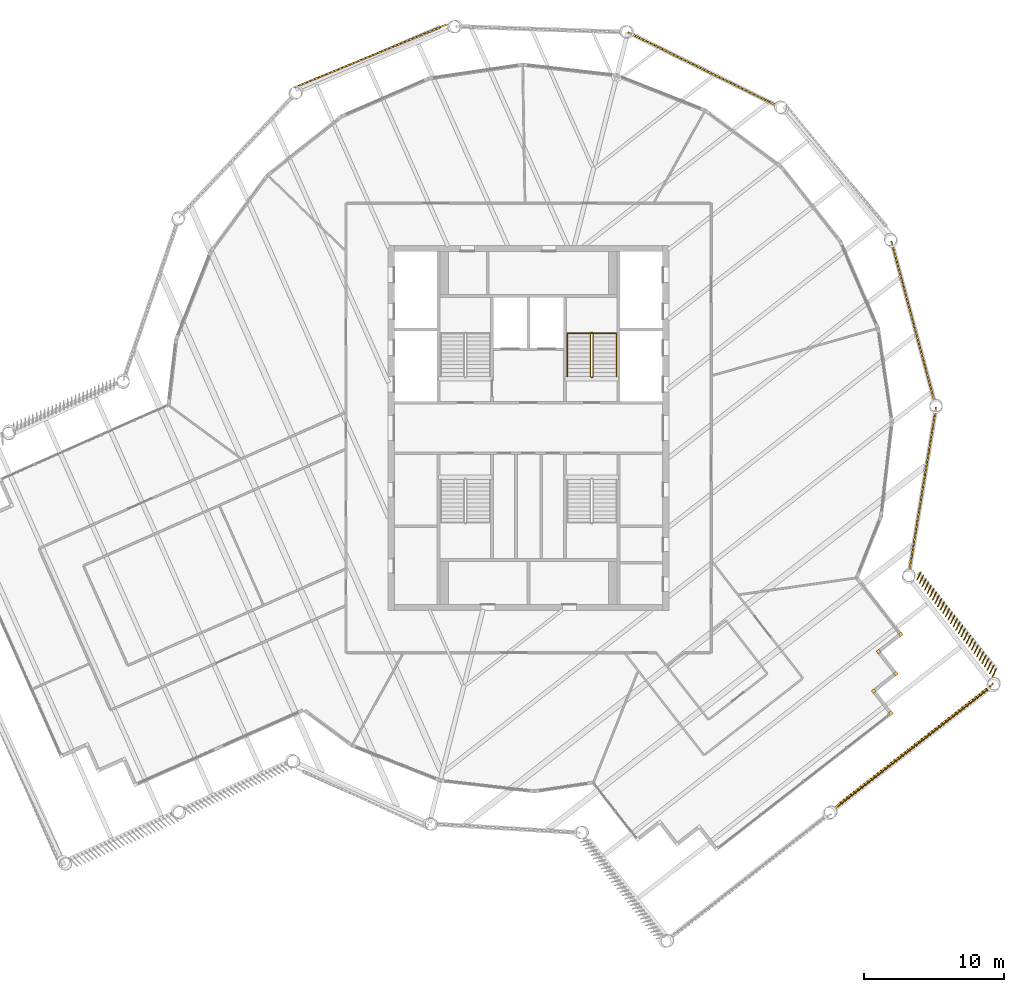
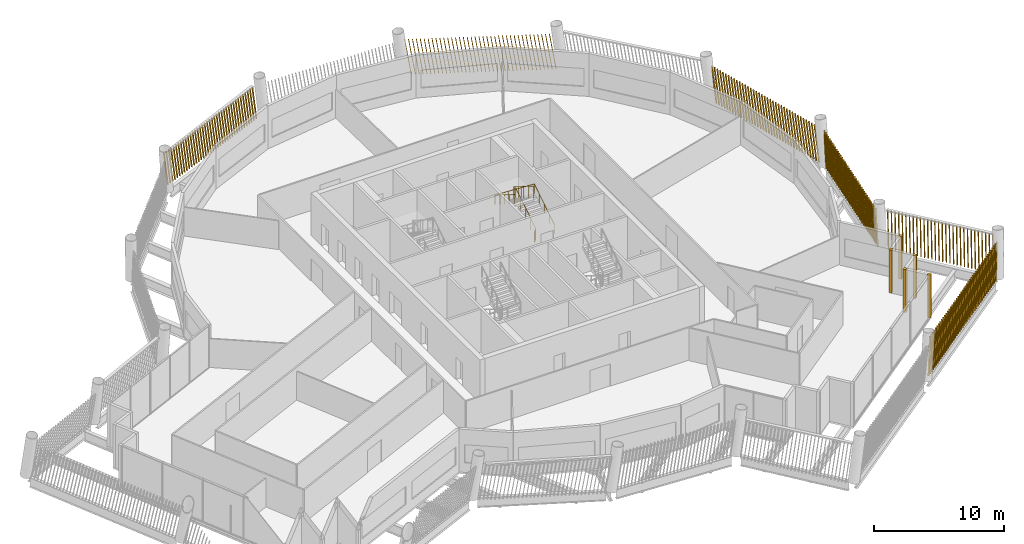
# One storey, part 26 of 28: 11 shading devices, 2 railings.
"""IFC4 building model written with IfcOpenShell, lengths in metres."""

from ifc_helpers import new_model, si_unit, direction, frame, frame_2d, origin, origin_2d, place, context, subcontext, project, spatial, rectangle, circle, composite_profile, extrude, material, type_object, element, save


model = new_model("IFC4")

# Units and contexts
model_context = context("Model", 3, precision=1e-05, world=origin(), true_north=direction((0.0, 1.0)))
body_context = subcontext(model_context, "Body", "Model", "MODEL_VIEW")
ifc_project = project(units=[si_unit("LENGTHUNIT", "METRE"), si_unit("AREAUNIT", "SQUARE_METRE"), si_unit("VOLUMEUNIT", "CUBIC_METRE"), si_unit("PLANEANGLEUNIT", "RADIAN"), si_unit("MASSUNIT", "GRAM", prefix="KILO")], contexts=[model_context])

# Site, building, storey
site_placement = place(None, origin())
site = spatial("IfcSite", under=ifc_project, at=site_placement, CompositionType="ELEMENT")
building_placement = place(site_placement, origin())
building = spatial("IfcBuilding", under=site, at=building_placement, Name="Tarsis Ring Headquarters", CompositionType="ELEMENT")
storey_placement = place(building_placement, frame((0.0, 0.0, 381.800048828125)))
storey = spatial("IfcBuildingStorey", under=building, at=storey_placement, Name="L90", CompositionType="ELEMENT", Elevation=381.800048828125)

# Railings
ifc_material_1 = material(Name="Steel S355", Category="steel")
railing_type_1 = type_object("IfcRailingType", Name="Core stair guard 1100", PredefinedType="GUARDRAIL", material=ifc_material_1)
railing_1_placement = place(storey_placement, frame((4.4599609375, 3.610107421875, 0.0)))
element("IfcRailing", 1, at=railing_1_placement, inside=storey, type_object=railing_type_1, Name="L90 ST2 stair guard 1", PredefinedType="GUARDRAIL", context=body_context, shape_type="SweptSolid", body=[
    extrude(circle(Radius=0.02392578125, at=origin_2d()), frame((0.0, 0.0, 1.076171875), z_axis=(1.0, 0.0, 0.0), x_axis=(0.0, 1.0, 0.0)), (0.0, 0.0, 1.0), 0.080078125),
    extrude(circle(Radius=0.02392578125, at=origin_2d()), frame((0.080078125, 0.0, 1.076171875), z_axis=(0.265155923931, 0.263862480399, 0.927399011991), x_axis=(-0.705375805398, 0.708833529934, 0.0)), (0.0, 0.0, 1.0), 0.188720703125),
    extrude(circle(Radius=0.02392578125, at=origin_2d()), frame((0.130126953125, 0.0498046875, 1.2509765625), z_axis=(0.0, 0.848028513186, 0.529950602248), x_axis=(-1.0, 0.0, 0.0)), (0.0, 0.0, 1.0), 3.632080078125),
    extrude(circle(Radius=0.02392578125, at=origin_2d()), frame((0.130126953125, 3.1298828125, 3.17578125), z_axis=(-0.707106781187, 0.707106781187, 0.0), x_axis=(-0.707106781187, -0.707106781187, 0.0)), (0.0, 0.0, 1.0), 0.07080078125),
    extrude(circle(Radius=0.02392578125, at=origin_2d()), frame((0.080078125, 3.179931640625, 3.17578125), z_axis=(-1.0, 0.0, 0.0), x_axis=(0.0, -1.0, 0.0)), (0.0, 0.0, 1.0), 0.080078125),
    extrude(circle(Radius=0.02392578125, at=origin_2d()), frame((0.0, 3.179931640625, 3.17578125), z_axis=(-0.265065253269, -0.265065253269, 0.927081885822), x_axis=(0.707106781187, -0.707106781187, 0.0)), (0.0, 0.0, 1.0), 0.188720703125),
    extrude(circle(Radius=0.02392578125, at=origin_2d()), frame((-0.050048828125, 3.1298828125, 3.35107421875), z_axis=(0.0, -0.847998304005, 0.529998940003), x_axis=(1.0, 0.0, 0.0)), (0.0, 0.0, 1.0), 3.632080078125),
    extrude(circle(Radius=0.02099609375, at=origin_2d()), origin(), (0.0, 0.0, 1.0), 1.052001953125),
    extrude(circle(Radius=0.02099609375, at=origin_2d()), frame((0.080078125, 0.0, 0.0)), (0.0, 0.0, 1.0), 1.052001953125),
    extrude(circle(Radius=0.02099609375, at=origin_2d()), frame((0.130126953125, 0.0498046875, 0.175048828125)), (0.0, 0.0, 1.0), 1.052001953125),
    extrude(circle(Radius=0.02099609375, at=origin_2d()), frame((0.130126953125, 0.81982421875, 0.65625)), (0.0, 0.0, 1.0), 1.052001953125),
    extrude(circle(Radius=0.02099609375, at=origin_2d()), frame((0.130126953125, 1.58984375, 1.137451171875)), (0.0, 0.0, 1.0), 1.052001953125),
    extrude(circle(Radius=0.02099609375, at=origin_2d()), frame((0.130126953125, 2.35986328125, 1.61865234375)), (0.0, 0.0, 1.0), 1.052001953125),
    extrude(circle(Radius=0.02099609375, at=origin_2d()), frame((0.130126953125, 3.1298828125, 2.099853515625)), (0.0, 0.0, 1.0), 1.052001953125),
    extrude(circle(Radius=0.02099609375, at=origin_2d()), frame((0.080078125, 3.179931640625, 2.099853515625)), (0.0, 0.0, 1.0), 1.052001953125),
    extrude(circle(Radius=0.02099609375, at=origin_2d()), frame((0.0, 3.179931640625, 2.099853515625)), (0.0, 0.0, 1.0), 1.052001953125),
    extrude(circle(Radius=0.02099609375, at=origin_2d()), frame((-0.050048828125, 3.1298828125, 2.27490234375)), (0.0, 0.0, 1.0), 1.052001953125),
    extrude(circle(Radius=0.02099609375, at=origin_2d()), frame((-0.050048828125, 2.35986328125, 2.756103515625)), (0.0, 0.0, 1.0), 1.052001953125),
    extrude(circle(Radius=0.02099609375, at=origin_2d()), frame((-0.050048828125, 1.58984375, 3.2373046875)), (0.0, 0.0, 1.0), 1.052001953125),
    extrude(circle(Radius=0.02099609375, at=origin_2d()), frame((-0.050048828125, 0.81982421875, 3.71875)), (0.0, 0.0, 1.0), 1.052001953125),
    extrude(circle(Radius=0.02099609375, at=origin_2d()), frame((-0.050048828125, 0.0498046875, 4.199951171875)), (0.0, 0.0, 1.0), 1.052001953125),
])
railing_type_2 = type_object("IfcRailingType", Name="Core stair handrail 900", PredefinedType="HANDRAIL", material=ifc_material_1)
railing_2_placement = place(storey_placement, frame((6.25, 3.659912109375, 0.175048828125)))
element("IfcRailing", 2, at=railing_2_placement, inside=storey, type_object=railing_type_2, Name="L90 ST2 stair handrail 1", PredefinedType="HANDRAIL", context=body_context, shape_type="SweptSolid", body=[
    extrude(circle(Radius=0.02392578125, at=origin_2d()), frame((0.0, 0.0, 0.8759765625), z_axis=(0.0, 0.848028513186, 0.529950602248), x_axis=(-1.0, 0.0, 0.0)), (0.0, 0.0, 1.0), 3.632080078125),
    extrude(circle(Radius=0.02392578125, at=origin_2d()), frame((0.0, 3.080078125, 2.80078125), z_axis=(-0.998751643845, 0.0, 0.049951515669), x_axis=(0.0, -1.0, 0.0)), (0.0, 0.0, 1.0), 3.50439453125),
    extrude(circle(Radius=0.02392578125, at=origin_2d()), frame((-3.5, 3.080078125, 2.9755859375), z_axis=(0.0, -0.847998304005, 0.529998940003), x_axis=(1.0, 0.0, 0.0)), (0.0, 0.0, 1.0), 3.632080078125),
    extrude(circle(Radius=0.02099609375, at=origin_2d()), origin(), (0.0, 0.0, 1.0), 0.851806640625),
    extrude(circle(Radius=0.02099609375, at=origin_2d()), frame((0.0, 0.77001953125, 0.481201171875)), (0.0, 0.0, 1.0), 0.851806640625),
    extrude(circle(Radius=0.02099609375, at=origin_2d()), frame((0.0, 1.5400390625, 0.96240234375)), (0.0, 0.0, 1.0), 0.851806640625),
    extrude(circle(Radius=0.02099609375, at=origin_2d()), frame((0.0, 2.31005859375, 1.443603515625)), (0.0, 0.0, 1.0), 0.851806640625),
    extrude(circle(Radius=0.02099609375, at=origin_2d()), frame((0.0, 3.080078125, 1.9248046875)), (0.0, 0.0, 1.0), 0.851806640625),
    extrude(circle(Radius=0.02099609375, at=origin_2d()), frame((-1.166748046875, 3.080078125, 1.983154296875)), (0.0, 0.0, 1.0), 0.851806640625),
    extrude(circle(Radius=0.02099609375, at=origin_2d()), frame((-2.333251953125, 3.080078125, 2.04150390625)), (0.0, 0.0, 1.0), 0.851806640625),
    extrude(circle(Radius=0.02099609375, at=origin_2d()), frame((-3.5, 3.080078125, 2.099853515625)), (0.0, 0.0, 1.0), 0.851806640625),
    extrude(circle(Radius=0.02099609375, at=origin_2d()), frame((-3.5, 2.31005859375, 2.5810546875)), (0.0, 0.0, 1.0), 0.851806640625),
    extrude(circle(Radius=0.02099609375, at=origin_2d()), frame((-3.5, 1.5400390625, 3.0625)), (0.0, 0.0, 1.0), 0.851806640625),
    extrude(circle(Radius=0.02099609375, at=origin_2d()), frame((-3.5, 0.77001953125, 3.543701171875)), (0.0, 0.0, 1.0), 0.851806640625),
    extrude(circle(Radius=0.02099609375, at=origin_2d()), frame((-3.5, 0.0, 4.02490234375)), (0.0, 0.0, 1.0), 0.851806640625),
])

# Shading devices
ifc_material_2 = material(Name="Terracotta baguette", Category="masonry")
shading_device_type_1 = type_object("IfcShadingDeviceType", Name="Terracotta baguette screen", PredefinedType="USERDEFINED", material=ifc_material_2)
shading_device_1_placement = place(storey_placement, frame((21.78125, -27.145263671875, 0.0), z_axis=(0.0, 0.0, 1.0), x_axis=(0.788868445262, 0.614553110183, 0.0)))
element("IfcShadingDevice", 3, at=shading_device_1_placement, inside=storey, type_object=shading_device_type_1, Name="Baguette screen L90-03", ObjectType="Terracotta baguette screen", PredefinedType="USERDEFINED", context=body_context, shape_type="SweptSolid", body=[
    extrude(composite_profile([rectangle(XDim=0.06005859375, YDim=0.1201171875, at=frame_2d((0.030029296875, 0.0))), rectangle(XDim=0.06005859375, YDim=0.1201171875, at=frame_2d((0.33544921875, 0.0))), rectangle(XDim=0.06005859375, YDim=0.1201171875, at=frame_2d((0.640625, 0.0))), rectangle(XDim=0.06005859375, YDim=0.1201171875, at=frame_2d((0.946044921875, 0.0))), rectangle(XDim=0.06005859375, YDim=0.1201171875, at=frame_2d((1.25146484375, 0.0))), rectangle(XDim=0.06005859375, YDim=0.1201171875, at=frame_2d((1.556640625, 0.0))), rectangle(XDim=0.06005859375, YDim=0.1201171875, at=frame_2d((1.862060546875, 0.0))), rectangle(XDim=0.06005859375, YDim=0.1201171875, at=frame_2d((2.16748046875, 0.0))), rectangle(XDim=0.06005859375, YDim=0.1201171875, at=frame_2d((2.47265625, 0.0))), rectangle(XDim=0.06005859375, YDim=0.1201171875, at=frame_2d((2.778076171875, 0.0))), rectangle(XDim=0.06005859375, YDim=0.1201171875, at=frame_2d((3.08349609375, 0.0))), rectangle(XDim=0.06005859375, YDim=0.1201171875, at=frame_2d((3.388671875, 0.0))), rectangle(XDim=0.06005859375, YDim=0.1201171875, at=frame_2d((3.694091796875, 0.0))), rectangle(XDim=0.06005859375, YDim=0.1201171875, at=frame_2d((3.99951171875, 0.0))), rectangle(XDim=0.06005859375, YDim=0.1201171875, at=frame_2d((4.3046875, 0.0))), rectangle(XDim=0.06005859375, YDim=0.1201171875, at=frame_2d((4.610107421875, 0.0))), rectangle(XDim=0.06005859375, YDim=0.1201171875, at=frame_2d((4.91552734375, 0.0))), rectangle(XDim=0.06005859375, YDim=0.1201171875, at=frame_2d((5.220703125, 0.0))), rectangle(XDim=0.06005859375, YDim=0.1201171875, at=frame_2d((5.526123046875, 0.0))), rectangle(XDim=0.06005859375, YDim=0.1201171875, at=frame_2d((5.83154296875, 0.0))), rectangle(XDim=0.06005859375, YDim=0.1201171875, at=frame_2d((6.13671875, 0.0))), rectangle(XDim=0.06005859375, YDim=0.1201171875, at=frame_2d((6.442138671875, 0.0))), rectangle(XDim=0.06005859375, YDim=0.1201171875, at=frame_2d((6.74755859375, 0.0))), rectangle(XDim=0.06005859375, YDim=0.1201171875, at=frame_2d((7.052734375, 0.0))), rectangle(XDim=0.06005859375, YDim=0.1201171875, at=frame_2d((7.358154296875, 0.0))), rectangle(XDim=0.06005859375, YDim=0.1201171875, at=frame_2d((7.66357421875, 0.0))), rectangle(XDim=0.06005859375, YDim=0.1201171875, at=frame_2d((7.96875, 0.0))), rectangle(XDim=0.06005859375, YDim=0.1201171875, at=frame_2d((8.274169921875, 0.0))), rectangle(XDim=0.06005859375, YDim=0.1201171875, at=frame_2d((8.57958984375, 0.0))), rectangle(XDim=0.06005859375, YDim=0.1201171875, at=frame_2d((8.884765625, 0.0))), rectangle(XDim=0.06005859375, YDim=0.1201171875, at=frame_2d((9.190185546875, 0.0))), rectangle(XDim=0.06005859375, YDim=0.1201171875, at=frame_2d((9.49560546875, 0.0))), rectangle(XDim=0.06005859375, YDim=0.1201171875, at=frame_2d((9.80078125, 0.0))), rectangle(XDim=0.06005859375, YDim=0.1201171875, at=frame_2d((10.106201171875, 0.0))), rectangle(XDim=0.06005859375, YDim=0.1201171875, at=frame_2d((10.41162109375, 0.0))), rectangle(XDim=0.06005859375, YDim=0.1201171875, at=frame_2d((10.716796875, 0.0))), rectangle(XDim=0.06005859375, YDim=0.1201171875, at=frame_2d((11.022216796875, 0.0))), rectangle(XDim=0.06005859375, YDim=0.1201171875, at=frame_2d((11.32763671875, 0.0))), rectangle(XDim=0.06005859375, YDim=0.1201171875, at=frame_2d((11.6328125, 0.0))), rectangle(XDim=0.06005859375, YDim=0.1201171875, at=frame_2d((11.938232421875, 0.0))), rectangle(XDim=0.06005859375, YDim=0.1201171875, at=frame_2d((12.24365234375, 0.0))), rectangle(XDim=0.06005859375, YDim=0.1201171875, at=frame_2d((12.548828125, 0.0))), rectangle(XDim=0.06005859375, YDim=0.1201171875, at=frame_2d((12.854248046875, 0.0))), rectangle(XDim=0.06005859375, YDim=0.1201171875, at=frame_2d((13.15966796875, 0.0))), rectangle(XDim=0.06005859375, YDim=0.1201171875, at=frame_2d((13.46484375, 0.0))), rectangle(XDim=0.06005859375, YDim=0.1201171875, at=frame_2d((13.770263671875, 0.0)))]), origin(), (0.188549632684, 0.041886949188, 0.981169974827), 3.343505859375),
])
shading_device_2_placement = place(storey_placement, frame((33.050537109375, -17.732177734375, 0.0), z_axis=(0.0, 0.0, 1.0), x_axis=(-0.614563402934, 0.788869478413, 0.0)))
element("IfcShadingDevice", 4, at=shading_device_2_placement, inside=storey, type_object=shading_device_type_1, Name="Baguette screen L90-04", ObjectType="Terracotta baguette screen", PredefinedType="USERDEFINED", context=body_context, shape_type="SweptSolid", body=[
    extrude(composite_profile([rectangle(XDim=0.06005859375, YDim=0.1201171875, at=frame_2d((0.030029296875, 0.0))), rectangle(XDim=0.06005859375, YDim=0.1201171875, at=frame_2d((0.33154296875, 0.0))), rectangle(XDim=0.06005859375, YDim=0.1201171875, at=frame_2d((0.633056640625, 0.0))), rectangle(XDim=0.06005859375, YDim=0.1201171875, at=frame_2d((0.9345703125, 0.0))), rectangle(XDim=0.06005859375, YDim=0.1201171875, at=frame_2d((1.236083984375, 0.0))), rectangle(XDim=0.06005859375, YDim=0.1201171875, at=frame_2d((1.53759765625, 0.0))), rectangle(XDim=0.06005859375, YDim=0.1201171875, at=frame_2d((1.839111328125, 0.0))), rectangle(XDim=0.06005859375, YDim=0.1201171875, at=frame_2d((2.140625, 0.0))), rectangle(XDim=0.06005859375, YDim=0.1201171875, at=frame_2d((2.442138671875, 0.0))), rectangle(XDim=0.06005859375, YDim=0.1201171875, at=frame_2d((2.74365234375, 0.0))), rectangle(XDim=0.06005859375, YDim=0.1201171875, at=frame_2d((3.045166015625, 0.0))), rectangle(XDim=0.06005859375, YDim=0.1201171875, at=frame_2d((3.3466796875, 0.0))), rectangle(XDim=0.06005859375, YDim=0.1201171875, at=frame_2d((3.648193359375, 0.0))), rectangle(XDim=0.06005859375, YDim=0.1201171875, at=frame_2d((3.94970703125, 0.0))), rectangle(XDim=0.06005859375, YDim=0.1201171875, at=frame_2d((4.251220703125, 0.0))), rectangle(XDim=0.06005859375, YDim=0.1201171875, at=frame_2d((4.552978515625, 0.0))), rectangle(XDim=0.06005859375, YDim=0.1201171875, at=frame_2d((4.8544921875, 0.0))), rectangle(XDim=0.06005859375, YDim=0.1201171875, at=frame_2d((5.156005859375, 0.0))), rectangle(XDim=0.06005859375, YDim=0.1201171875, at=frame_2d((5.45751953125, 0.0))), rectangle(XDim=0.06005859375, YDim=0.1201171875, at=frame_2d((5.759033203125, 0.0))), rectangle(XDim=0.06005859375, YDim=0.1201171875, at=frame_2d((6.060546875, 0.0))), rectangle(XDim=0.06005859375, YDim=0.1201171875, at=frame_2d((6.362060546875, 0.0))), rectangle(XDim=0.06005859375, YDim=0.1201171875, at=frame_2d((6.66357421875, 0.0))), rectangle(XDim=0.06005859375, YDim=0.1201171875, at=frame_2d((6.965087890625, 0.0))), rectangle(XDim=0.06005859375, YDim=0.1201171875, at=frame_2d((7.2666015625, 0.0))), rectangle(XDim=0.06005859375, YDim=0.1201171875, at=frame_2d((7.568115234375, 0.0))), rectangle(XDim=0.06005859375, YDim=0.1201171875, at=frame_2d((7.86962890625, 0.0))), rectangle(XDim=0.06005859375, YDim=0.1201171875, at=frame_2d((8.171142578125, 0.0))), rectangle(XDim=0.06005859375, YDim=0.1201171875, at=frame_2d((8.47265625, 0.0))), rectangle(XDim=0.06005859375, YDim=0.1201171875, at=frame_2d((8.774169921875, 0.0)))]), origin(), (0.084027457286, -0.161894334475, 0.983224089863), 3.33642578125),
])
shading_device_3_placement = place(storey_placement, frame((27.1171875, -10.129150390625, 0.0), z_axis=(0.0, 0.0, 1.0), x_axis=(0.161237113402, 0.986912642431, 0.0)))
element("IfcShadingDevice", 5, at=shading_device_3_placement, inside=storey, type_object=shading_device_type_1, Name="Baguette screen L90-05", ObjectType="Terracotta baguette screen", PredefinedType="USERDEFINED", context=body_context, shape_type="SweptSolid", body=[
    extrude(composite_profile([rectangle(XDim=0.06005859375, YDim=0.1201171875, at=frame_2d((0.030029296875, 0.0))), rectangle(XDim=0.06005859375, YDim=0.1201171875, at=frame_2d((0.33251953125, 0.0))), rectangle(XDim=0.06005859375, YDim=0.1201171875, at=frame_2d((0.634765625, 0.0))), rectangle(XDim=0.06005859375, YDim=0.1201171875, at=frame_2d((0.937255859375, 0.0))), rectangle(XDim=0.06005859375, YDim=0.1201171875, at=frame_2d((1.239501953125, 0.0))), rectangle(XDim=0.06005859375, YDim=0.1201171875, at=frame_2d((1.5419921875, 0.0))), rectangle(XDim=0.06005859375, YDim=0.1201171875, at=frame_2d((1.844482421875, 0.0))), rectangle(XDim=0.06005859375, YDim=0.1201171875, at=frame_2d((2.146728515625, 0.0))), rectangle(XDim=0.06005859375, YDim=0.1201171875, at=frame_2d((2.44921875, 0.0))), rectangle(XDim=0.06005859375, YDim=0.1201171875, at=frame_2d((2.751708984375, 0.0))), rectangle(XDim=0.06005859375, YDim=0.1201171875, at=frame_2d((3.053955078125, 0.0))), rectangle(XDim=0.06005859375, YDim=0.1201171875, at=frame_2d((3.3564453125, 0.0))), rectangle(XDim=0.06005859375, YDim=0.1201171875, at=frame_2d((3.65869140625, 0.0))), rectangle(XDim=0.06005859375, YDim=0.1201171875, at=frame_2d((3.961181640625, 0.0))), rectangle(XDim=0.06005859375, YDim=0.1201171875, at=frame_2d((4.263671875, 0.0))), rectangle(XDim=0.06005859375, YDim=0.1201171875, at=frame_2d((4.56591796875, 0.0))), rectangle(XDim=0.06005859375, YDim=0.1201171875, at=frame_2d((4.868408203125, 0.0))), rectangle(XDim=0.06005859375, YDim=0.1201171875, at=frame_2d((5.1708984375, 0.0))), rectangle(XDim=0.06005859375, YDim=0.1201171875, at=frame_2d((5.47314453125, 0.0))), rectangle(XDim=0.06005859375, YDim=0.1201171875, at=frame_2d((5.775634765625, 0.0))), rectangle(XDim=0.06005859375, YDim=0.1201171875, at=frame_2d((6.077880859375, 0.0))), rectangle(XDim=0.06005859375, YDim=0.1201171875, at=frame_2d((6.38037109375, 0.0))), rectangle(XDim=0.06005859375, YDim=0.1201171875, at=frame_2d((6.682861328125, 0.0))), rectangle(XDim=0.06005859375, YDim=0.1201171875, at=frame_2d((6.985107421875, 0.0))), rectangle(XDim=0.06005859375, YDim=0.1201171875, at=frame_2d((7.28759765625, 0.0))), rectangle(XDim=0.06005859375, YDim=0.1201171875, at=frame_2d((7.590087890625, 0.0))), rectangle(XDim=0.06005859375, YDim=0.1201171875, at=frame_2d((7.892333984375, 0.0))), rectangle(XDim=0.06005859375, YDim=0.1201171875, at=frame_2d((8.19482421875, 0.0))), rectangle(XDim=0.06005859375, YDim=0.1201171875, at=frame_2d((8.4970703125, 0.0))), rectangle(XDim=0.06005859375, YDim=0.1201171875, at=frame_2d((8.799560546875, 0.0))), rectangle(XDim=0.06005859375, YDim=0.1201171875, at=frame_2d((9.10205078125, 0.0))), rectangle(XDim=0.06005859375, YDim=0.1201171875, at=frame_2d((9.404296875, 0.0))), rectangle(XDim=0.06005859375, YDim=0.1201171875, at=frame_2d((9.706787109375, 0.0))), rectangle(XDim=0.06005859375, YDim=0.1201171875, at=frame_2d((10.00927734375, 0.0))), rectangle(XDim=0.06005859375, YDim=0.1201171875, at=frame_2d((10.3115234375, 0.0))), rectangle(XDim=0.06005859375, YDim=0.1201171875, at=frame_2d((10.614013671875, 0.0))), rectangle(XDim=0.06005859375, YDim=0.1201171875, at=frame_2d((10.916259765625, 0.0))), rectangle(XDim=0.06005859375, YDim=0.1201171875, at=frame_2d((11.21875, 0.0)))]), origin(), (0.155202385717, 0.001408610324, 0.987881690935), 3.32080078125),
])
shading_device_4_placement = place(storey_placement, frame((28.881591796875, 1.94873046875, 0.0), z_axis=(0.0, 0.0, 1.0), x_axis=(-0.259902333152, 0.965642973413, 0.0)))
element("IfcShadingDevice", 6, at=shading_device_4_placement, inside=storey, type_object=shading_device_type_1, Name="Baguette screen L90-06", ObjectType="Terracotta baguette screen", PredefinedType="USERDEFINED", context=body_context, shape_type="SweptSolid", body=[
    extrude(composite_profile([rectangle(XDim=0.06005859375, YDim=0.1201171875, at=frame_2d((0.030029296875, 0.0))), rectangle(XDim=0.06005859375, YDim=0.1201171875, at=frame_2d((0.33251953125, 0.0))), rectangle(XDim=0.06005859375, YDim=0.1201171875, at=frame_2d((0.634765625, 0.0))), rectangle(XDim=0.06005859375, YDim=0.1201171875, at=frame_2d((0.937255859375, 0.0))), rectangle(XDim=0.06005859375, YDim=0.1201171875, at=frame_2d((1.239501953125, 0.0))), rectangle(XDim=0.06005859375, YDim=0.1201171875, at=frame_2d((1.5419921875, 0.0))), rectangle(XDim=0.06005859375, YDim=0.1201171875, at=frame_2d((1.844482421875, 0.0))), rectangle(XDim=0.06005859375, YDim=0.1201171875, at=frame_2d((2.146728515625, 0.0))), rectangle(XDim=0.06005859375, YDim=0.1201171875, at=frame_2d((2.44921875, 0.0))), rectangle(XDim=0.06005859375, YDim=0.1201171875, at=frame_2d((2.751708984375, 0.0))), rectangle(XDim=0.06005859375, YDim=0.1201171875, at=frame_2d((3.053955078125, 0.0))), rectangle(XDim=0.06005859375, YDim=0.1201171875, at=frame_2d((3.3564453125, 0.0))), rectangle(XDim=0.06005859375, YDim=0.1201171875, at=frame_2d((3.65869140625, 0.0))), rectangle(XDim=0.06005859375, YDim=0.1201171875, at=frame_2d((3.961181640625, 0.0))), rectangle(XDim=0.06005859375, YDim=0.1201171875, at=frame_2d((4.263671875, 0.0))), rectangle(XDim=0.06005859375, YDim=0.1201171875, at=frame_2d((4.56591796875, 0.0))), rectangle(XDim=0.06005859375, YDim=0.1201171875, at=frame_2d((4.868408203125, 0.0))), rectangle(XDim=0.06005859375, YDim=0.1201171875, at=frame_2d((5.1708984375, 0.0))), rectangle(XDim=0.06005859375, YDim=0.1201171875, at=frame_2d((5.47314453125, 0.0))), rectangle(XDim=0.06005859375, YDim=0.1201171875, at=frame_2d((5.775634765625, 0.0))), rectangle(XDim=0.06005859375, YDim=0.1201171875, at=frame_2d((6.077880859375, 0.0))), rectangle(XDim=0.06005859375, YDim=0.1201171875, at=frame_2d((6.38037109375, 0.0))), rectangle(XDim=0.06005859375, YDim=0.1201171875, at=frame_2d((6.682861328125, 0.0))), rectangle(XDim=0.06005859375, YDim=0.1201171875, at=frame_2d((6.985107421875, 0.0))), rectangle(XDim=0.06005859375, YDim=0.1201171875, at=frame_2d((7.28759765625, 0.0))), rectangle(XDim=0.06005859375, YDim=0.1201171875, at=frame_2d((7.590087890625, 0.0))), rectangle(XDim=0.06005859375, YDim=0.1201171875, at=frame_2d((7.892333984375, 0.0))), rectangle(XDim=0.06005859375, YDim=0.1201171875, at=frame_2d((8.19482421875, 0.0))), rectangle(XDim=0.06005859375, YDim=0.1201171875, at=frame_2d((8.4970703125, 0.0))), rectangle(XDim=0.06005859375, YDim=0.1201171875, at=frame_2d((8.799560546875, 0.0))), rectangle(XDim=0.06005859375, YDim=0.1201171875, at=frame_2d((9.10205078125, 0.0))), rectangle(XDim=0.06005859375, YDim=0.1201171875, at=frame_2d((9.404296875, 0.0))), rectangle(XDim=0.06005859375, YDim=0.1201171875, at=frame_2d((9.706787109375, 0.0))), rectangle(XDim=0.06005859375, YDim=0.1201171875, at=frame_2d((10.00927734375, 0.0))), rectangle(XDim=0.06005859375, YDim=0.1201171875, at=frame_2d((10.3115234375, 0.0))), rectangle(XDim=0.06005859375, YDim=0.1201171875, at=frame_2d((10.614013671875, 0.0))), rectangle(XDim=0.06005859375, YDim=0.1201171875, at=frame_2d((10.916259765625, 0.0))), rectangle(XDim=0.06005859375, YDim=0.1201171875, at=frame_2d((11.21875, 0.0)))]), origin(), (0.155204212018, 0.001407544115, 0.98788140553), 3.32080078125),
])
shading_device_5_placement = place(storey_placement, frame((17.60400390625, 22.979248046875, 0.0), z_axis=(0.0, 0.0, 1.0), x_axis=(-0.8968660474, 0.442290997482, 0.0)))
element("IfcShadingDevice", 7, at=shading_device_5_placement, inside=storey, type_object=shading_device_type_1, Name="Baguette screen L90-08", ObjectType="Terracotta baguette screen", PredefinedType="USERDEFINED", context=body_context, shape_type="SweptSolid", body=[
    extrude(composite_profile([rectangle(XDim=0.06005859375, YDim=0.1201171875, at=frame_2d((0.030029296875, 0.0))), rectangle(XDim=0.06005859375, YDim=0.1201171875, at=frame_2d((0.33251953125, 0.0))), rectangle(XDim=0.06005859375, YDim=0.1201171875, at=frame_2d((0.634765625, 0.0))), rectangle(XDim=0.06005859375, YDim=0.1201171875, at=frame_2d((0.937255859375, 0.0))), rectangle(XDim=0.06005859375, YDim=0.1201171875, at=frame_2d((1.239501953125, 0.0))), rectangle(XDim=0.06005859375, YDim=0.1201171875, at=frame_2d((1.5419921875, 0.0))), rectangle(XDim=0.06005859375, YDim=0.1201171875, at=frame_2d((1.844482421875, 0.0))), rectangle(XDim=0.06005859375, YDim=0.1201171875, at=frame_2d((2.146728515625, 0.0))), rectangle(XDim=0.06005859375, YDim=0.1201171875, at=frame_2d((2.44921875, 0.0))), rectangle(XDim=0.06005859375, YDim=0.1201171875, at=frame_2d((2.751708984375, 0.0))), rectangle(XDim=0.06005859375, YDim=0.1201171875, at=frame_2d((3.053955078125, 0.0))), rectangle(XDim=0.06005859375, YDim=0.1201171875, at=frame_2d((3.3564453125, 0.0))), rectangle(XDim=0.06005859375, YDim=0.1201171875, at=frame_2d((3.65869140625, 0.0))), rectangle(XDim=0.06005859375, YDim=0.1201171875, at=frame_2d((3.961181640625, 0.0))), rectangle(XDim=0.06005859375, YDim=0.1201171875, at=frame_2d((4.263671875, 0.0))), rectangle(XDim=0.06005859375, YDim=0.1201171875, at=frame_2d((4.56591796875, 0.0))), rectangle(XDim=0.06005859375, YDim=0.1201171875, at=frame_2d((4.868408203125, 0.0))), rectangle(XDim=0.06005859375, YDim=0.1201171875, at=frame_2d((5.1708984375, 0.0))), rectangle(XDim=0.06005859375, YDim=0.1201171875, at=frame_2d((5.47314453125, 0.0))), rectangle(XDim=0.06005859375, YDim=0.1201171875, at=frame_2d((5.775634765625, 0.0))), rectangle(XDim=0.06005859375, YDim=0.1201171875, at=frame_2d((6.077880859375, 0.0))), rectangle(XDim=0.06005859375, YDim=0.1201171875, at=frame_2d((6.38037109375, 0.0))), rectangle(XDim=0.06005859375, YDim=0.1201171875, at=frame_2d((6.682861328125, 0.0))), rectangle(XDim=0.06005859375, YDim=0.1201171875, at=frame_2d((6.985107421875, 0.0))), rectangle(XDim=0.06005859375, YDim=0.1201171875, at=frame_2d((7.28759765625, 0.0))), rectangle(XDim=0.06005859375, YDim=0.1201171875, at=frame_2d((7.590087890625, 0.0))), rectangle(XDim=0.06005859375, YDim=0.1201171875, at=frame_2d((7.892333984375, 0.0))), rectangle(XDim=0.06005859375, YDim=0.1201171875, at=frame_2d((8.19482421875, 0.0))), rectangle(XDim=0.06005859375, YDim=0.1201171875, at=frame_2d((8.4970703125, 0.0))), rectangle(XDim=0.06005859375, YDim=0.1201171875, at=frame_2d((8.799560546875, 0.0))), rectangle(XDim=0.06005859375, YDim=0.1201171875, at=frame_2d((9.10205078125, 0.0))), rectangle(XDim=0.06005859375, YDim=0.1201171875, at=frame_2d((9.404296875, 0.0))), rectangle(XDim=0.06005859375, YDim=0.1201171875, at=frame_2d((9.706787109375, 0.0))), rectangle(XDim=0.06005859375, YDim=0.1201171875, at=frame_2d((10.00927734375, 0.0))), rectangle(XDim=0.06005859375, YDim=0.1201171875, at=frame_2d((10.3115234375, 0.0))), rectangle(XDim=0.06005859375, YDim=0.1201171875, at=frame_2d((10.614013671875, 0.0))), rectangle(XDim=0.06005859375, YDim=0.1201171875, at=frame_2d((10.916259765625, 0.0))), rectangle(XDim=0.06005859375, YDim=0.1201171875, at=frame_2d((11.21875, 0.0)))]), origin(), (0.155202038195, 0.001405839431, 0.98788174948), 3.32080078125),
])
shading_device_6_placement = place(storey_placement, frame((-5.780517578125, 28.739501953125, 0.0), z_axis=(0.0, 0.0, 1.0), x_axis=(-0.924319045035, -0.38161692892, 0.0)))
element("IfcShadingDevice", 8, at=shading_device_6_placement, inside=storey, type_object=shading_device_type_1, Name="Baguette screen L90-10", ObjectType="Terracotta baguette screen", PredefinedType="USERDEFINED", context=body_context, shape_type="SweptSolid", body=[
    extrude(composite_profile([rectangle(XDim=0.06005859375, YDim=0.1201171875, at=frame_2d((0.030029296875, 0.0))), rectangle(XDim=0.06005859375, YDim=0.1201171875, at=frame_2d((0.33251953125, 0.0))), rectangle(XDim=0.06005859375, YDim=0.1201171875, at=frame_2d((0.634765625, 0.0))), rectangle(XDim=0.06005859375, YDim=0.1201171875, at=frame_2d((0.937255859375, 0.0))), rectangle(XDim=0.06005859375, YDim=0.1201171875, at=frame_2d((1.239501953125, 0.0))), rectangle(XDim=0.06005859375, YDim=0.1201171875, at=frame_2d((1.5419921875, 0.0))), rectangle(XDim=0.06005859375, YDim=0.1201171875, at=frame_2d((1.844482421875, 0.0))), rectangle(XDim=0.06005859375, YDim=0.1201171875, at=frame_2d((2.146728515625, 0.0))), rectangle(XDim=0.06005859375, YDim=0.1201171875, at=frame_2d((2.44921875, 0.0))), rectangle(XDim=0.06005859375, YDim=0.1201171875, at=frame_2d((2.751708984375, 0.0))), rectangle(XDim=0.06005859375, YDim=0.1201171875, at=frame_2d((3.053955078125, 0.0))), rectangle(XDim=0.06005859375, YDim=0.1201171875, at=frame_2d((3.3564453125, 0.0))), rectangle(XDim=0.06005859375, YDim=0.1201171875, at=frame_2d((3.65869140625, 0.0))), rectangle(XDim=0.06005859375, YDim=0.1201171875, at=frame_2d((3.961181640625, 0.0))), rectangle(XDim=0.06005859375, YDim=0.1201171875, at=frame_2d((4.263671875, 0.0))), rectangle(XDim=0.06005859375, YDim=0.1201171875, at=frame_2d((4.56591796875, 0.0))), rectangle(XDim=0.06005859375, YDim=0.1201171875, at=frame_2d((4.868408203125, 0.0))), rectangle(XDim=0.06005859375, YDim=0.1201171875, at=frame_2d((5.1708984375, 0.0))), rectangle(XDim=0.06005859375, YDim=0.1201171875, at=frame_2d((5.47314453125, 0.0))), rectangle(XDim=0.06005859375, YDim=0.1201171875, at=frame_2d((5.775634765625, 0.0))), rectangle(XDim=0.06005859375, YDim=0.1201171875, at=frame_2d((6.077880859375, 0.0))), rectangle(XDim=0.06005859375, YDim=0.1201171875, at=frame_2d((6.38037109375, 0.0))), rectangle(XDim=0.06005859375, YDim=0.1201171875, at=frame_2d((6.682861328125, 0.0))), rectangle(XDim=0.06005859375, YDim=0.1201171875, at=frame_2d((6.985107421875, 0.0))), rectangle(XDim=0.06005859375, YDim=0.1201171875, at=frame_2d((7.28759765625, 0.0))), rectangle(XDim=0.06005859375, YDim=0.1201171875, at=frame_2d((7.590087890625, 0.0))), rectangle(XDim=0.06005859375, YDim=0.1201171875, at=frame_2d((7.892333984375, 0.0))), rectangle(XDim=0.06005859375, YDim=0.1201171875, at=frame_2d((8.19482421875, 0.0))), rectangle(XDim=0.06005859375, YDim=0.1201171875, at=frame_2d((8.4970703125, 0.0))), rectangle(XDim=0.06005859375, YDim=0.1201171875, at=frame_2d((8.799560546875, 0.0))), rectangle(XDim=0.06005859375, YDim=0.1201171875, at=frame_2d((9.10205078125, 0.0))), rectangle(XDim=0.06005859375, YDim=0.1201171875, at=frame_2d((9.404296875, 0.0))), rectangle(XDim=0.06005859375, YDim=0.1201171875, at=frame_2d((9.706787109375, 0.0))), rectangle(XDim=0.06005859375, YDim=0.1201171875, at=frame_2d((10.00927734375, 0.0))), rectangle(XDim=0.06005859375, YDim=0.1201171875, at=frame_2d((10.3115234375, 0.0))), rectangle(XDim=0.06005859375, YDim=0.1201171875, at=frame_2d((10.614013671875, 0.0))), rectangle(XDim=0.06005859375, YDim=0.1201171875, at=frame_2d((10.916259765625, 0.0))), rectangle(XDim=0.06005859375, YDim=0.1201171875, at=frame_2d((11.21875, 0.0)))]), origin(), (0.157201942462, 0.001426252947, 0.987565448509), 3.32177734375),
])
shading_device_type_2 = type_object("IfcShadingDeviceType", Name="Terracotta corner baguette 250x250", PredefinedType="USERDEFINED", material=ifc_material_2)
for number, where, z_axis, x_axis, name in (
    (9, (25.801513671875, -20.3056640625, 0.0), (0.0, 0.0, 1.0), (0.788869632232, 0.614560577439, 0.0), "Corner baguette L90-12"),
    (10, (24.572265625, -18.727783203125, 0.0), (0.0, 0.0, 1.0), (-0.614560357145, 0.788869803849, 0.0), "Corner baguette L90-13"),
    (11, (26.150146484375, -17.498779296875, 0.0), (0.0, 0.0, 1.0), (0.788869621506, 0.614560591208, 0.0), "Corner baguette L90-14"),
    (12, (24.9208984375, -15.9208984375, 0.0), (0.0, 0.0, 1.0), (-0.614560591208, 0.788869621506, 0.0), "Corner baguette L90-15"),
    (13, (26.498779296875, -14.69189453125, 0.0), (0.0, 0.0, 1.0), (0.788869803849, 0.614560357145, 0.0), "Corner baguette L90-16"),
):
    element("IfcShadingDevice", number, at=place(storey_placement, frame(where, z_axis=z_axis, x_axis=x_axis)), inside=storey, type_object=shading_device_type_2, Name=name, ObjectType="Terracotta corner baguette", PredefinedType="USERDEFINED", context=body_context, shape_type="SweptSolid", body=[
        extrude(rectangle(XDim=0.25, YDim=0.25, at=origin_2d()), origin(), (0.0, 0.0, 1.0), 4.0400390625),
    ])

save(model, "model.ifc")
